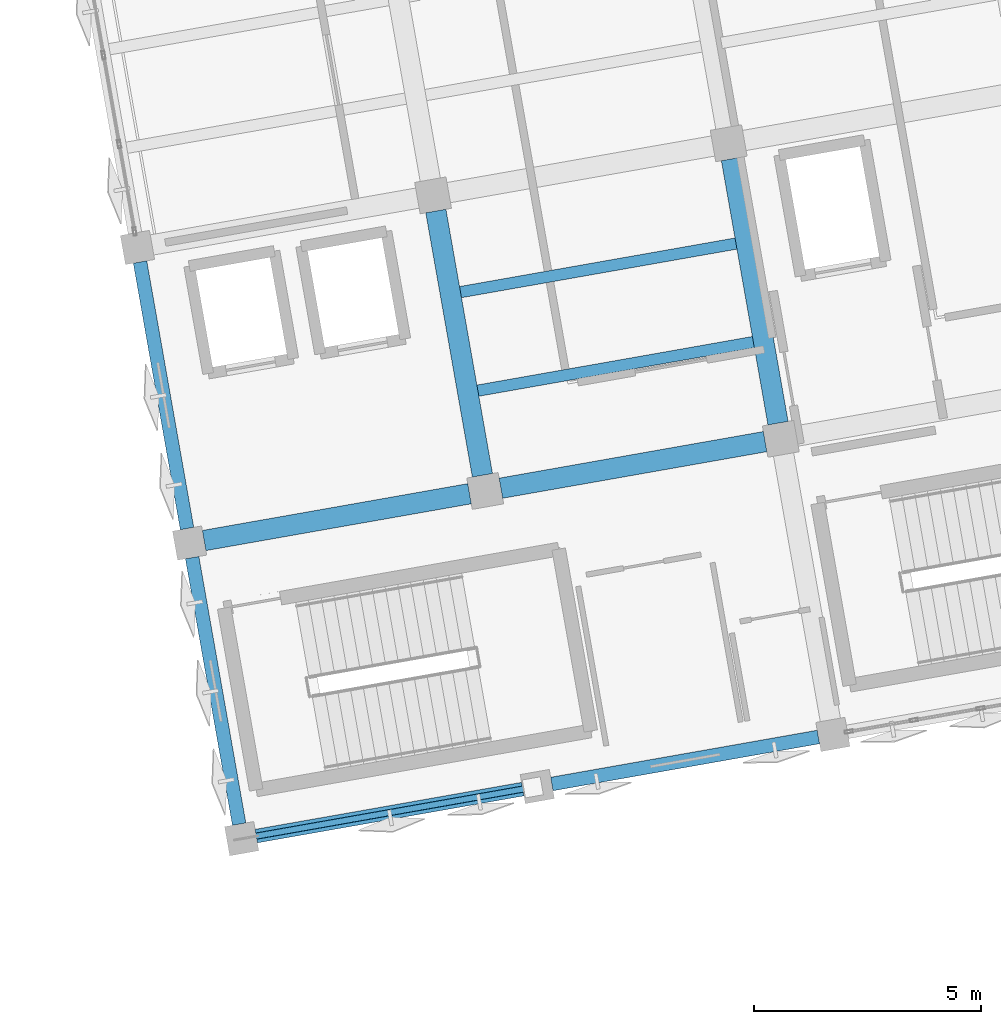
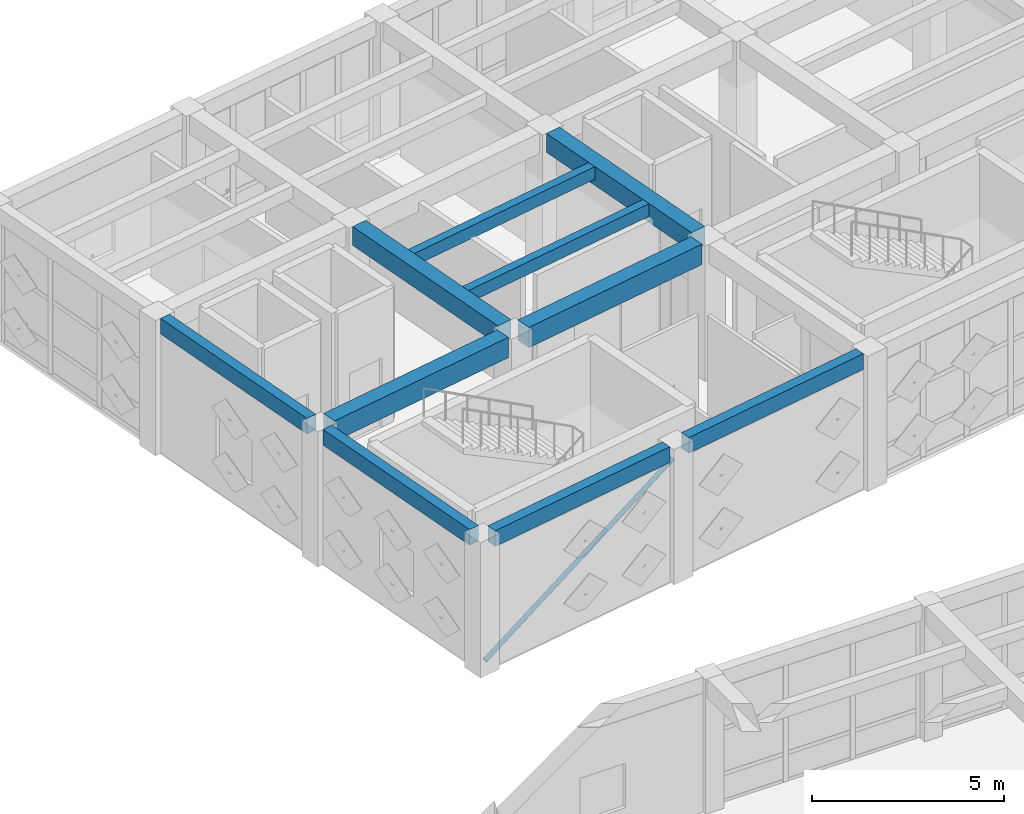
# One storey, part 11 of 48: 10 beams, 1 member.
"""IFC4 building model written with IfcOpenShell, lengths in metres."""

import ifcopenshell
import ifcopenshell.guid

model = None  # the IFC model being written
_history = None  # IfcOwnerHistory: only IFC2X3 demands one
_inside = {}  # id of a spatial element -> (the spatial element, [elements in it])
_under = {}  # id of a project, library or spatial element -> (it, [spatial elements below it])
_declared = {}  # id of a project -> (the project, [libraries it declares])
_typed = {}  # id of a type object -> (the type object, [elements of that type])
_made_of = {}  # id of a material, layer set ... -> (it, [elements and type objects made of it])


def new_model(schema):
    """Start an empty IFC model of exactly this schema.

    Asked for "IFC4X3", IfcOpenShell would pick the latest addendum, in which some entities
    have other attributes; the version numbers below select the first issue.
    IFC2X3 requires an IfcOwnerHistory on every rooted entity: one is made here for all.
    """
    global model, _history
    if schema == "IFC4X3":
        model = ifcopenshell.file(schema_version=(4, 3, 0, 0))
    else:
        model = ifcopenshell.file(schema=schema)
    _inside.clear()
    _under.clear()
    _declared.clear()
    _typed.clear()
    _made_of.clear()
    _history = None
    if model.schema == "IFC2X3":
        org = make("IfcOrganization", Name="unknown")
        user = make(
            "IfcPersonAndOrganization",
            ThePerson=make("IfcPerson", FamilyName="unknown"),
            TheOrganization=org,
        )
        app = make(
            "IfcApplication",
            ApplicationDeveloper=org,
            Version="unknown",
            ApplicationFullName="unknown",
            ApplicationIdentifier="unknown",
        )
        _history = make(
            "IfcOwnerHistory",
            OwningUser=user,
            OwningApplication=app,
            ChangeAction="ADDED",
            CreationDate=0,
        )
    return model


def make(cls, **values):
    """One entity of the class cls with the attributes given. An attribute that is None is left unset."""
    return model.create_entity(
        cls, **{name: value for name, value in values.items() if value is not None}
    )


def rooted(cls, **values):
    """An entity with a GlobalId (a new one), such as an element, a storey or a relation."""
    return make(cls, GlobalId=ifcopenshell.guid.new(), OwnerHistory=_history, **values)


def si_unit(unit_type, name, prefix=None):
    """IfcSIUnit, for example si_unit("LENGTHUNIT", "METRE", prefix="MILLI")."""
    return make("IfcSIUnit", UnitType=unit_type, Prefix=prefix, Name=name)


def assignment(units):
    """IfcUnitAssignment: the units of a project."""
    return None if units is None else make("IfcUnitAssignment", Units=units)


def point(xyz):
    """IfcCartesianPoint."""
    return None if xyz is None else make("IfcCartesianPoint", Coordinates=xyz)


def direction(xyz):
    """IfcDirection."""
    return None if xyz is None else make("IfcDirection", DirectionRatios=xyz)


def frame(location, z_axis=None, x_axis=None):
    """IfcAxis2Placement3D, a coordinate frame: its origin and axes. An axis left out is left unset."""
    return make(
        "IfcAxis2Placement3D",
        Location=point(location),
        Axis=direction(z_axis),
        RefDirection=direction(x_axis),
    )


def frame_2d(location, x_axis=None):
    """IfcAxis2Placement2D, a coordinate frame in the plane: its origin and x axis."""
    return make(
        "IfcAxis2Placement2D", Location=point(location), RefDirection=direction(x_axis)
    )


def origin():
    """The frame at (0, 0, 0) with its axes left unset."""
    return frame((0.0, 0.0, 0.0))


def origin_2d():
    """The frame at (0, 0) in the plane with its x axis left unset."""
    return frame_2d((0.0, 0.0))


def place(relative_to, where):
    """IfcLocalPlacement: puts the frame where relative to a parent placement (None: the world)."""
    return make(
        "IfcLocalPlacement", PlacementRelTo=relative_to, RelativePlacement=where
    )


def context(
    kind, dimensions, precision=None, world=None, true_north=None, identifier=None
):
    """IfcGeometricRepresentationContext, for example the 3D "Model" context."""
    return make(
        "IfcGeometricRepresentationContext",
        ContextIdentifier=identifier,
        ContextType=kind,
        CoordinateSpaceDimension=dimensions,
        Precision=precision,
        WorldCoordinateSystem=world,
        TrueNorth=true_north,
    )


def subcontext(parent, identifier, kind, view, scale=None):
    """IfcGeometricRepresentationSubContext, for example "Body" below "Model"."""
    return make(
        "IfcGeometricRepresentationSubContext",
        ContextIdentifier=identifier,
        ContextType=kind,
        ParentContext=parent,
        TargetScale=scale,
        TargetView=view,
    )


def project(units=None, contexts=None):
    """IfcProject with its units and contexts."""
    return rooted(
        "IfcProject",
        Name="project",
        RepresentationContexts=contexts,
        UnitsInContext=assignment(units),
    )


def spatial(cls, under=None, at=None, **own):
    """A site, building, storey or space (cls), placed at a placement, below another one or the project."""
    s = rooted(cls, ObjectPlacement=at, **own)
    if under is not None:
        _under.setdefault(under.id(), (under, []))[1].append(s)
    return s


def profile(cls, at=None, kind="AREA", **sizes):
    """A parametric profile (cls). Its sizes go by their IFC names, for example OverallWidth=200.0."""
    return make(cls, ProfileType=kind, Position=at, **sizes)


def rectangle(**sizes):
    """IfcRectangleProfileDef."""
    return profile("IfcRectangleProfileDef", **sizes)


def hollow_circle(**sizes):
    """IfcCircleHollowProfileDef."""
    return profile("IfcCircleHollowProfileDef", **sizes)


def extrude(swept, where, along, depth):
    """IfcExtrudedAreaSolid: the profile swept, set in the frame where, extruded along a direction by depth."""
    return make(
        "IfcExtrudedAreaSolid",
        SweptArea=swept,
        Position=where,
        ExtrudedDirection=direction(along),
        Depth=depth,
    )


def shape(context_of_items, identifier, shape_type, items):
    """IfcShapeRepresentation: the items that make up one representation, for example the "Body"."""
    return make(
        "IfcShapeRepresentation",
        ContextOfItems=context_of_items,
        RepresentationIdentifier=identifier,
        RepresentationType=shape_type,
        Items=items,
    )


def material(Name=None, Category=None):
    """IfcMaterial."""
    return make("IfcMaterial", Name=Name, Category=Category)


def material_profile(
    of_material, cross_section, Name=None, Category=None, Priority=None
):
    """IfcMaterialProfile: a cross section and its material."""
    return make(
        "IfcMaterialProfile",
        Name=Name,
        Material=of_material,
        Profile=cross_section,
        Priority=Priority,
        Category=Category,
    )


def profile_set(profiles, Name=None, composite=None):
    """IfcMaterialProfileSet."""
    return make(
        "IfcMaterialProfileSet",
        Name=Name,
        MaterialProfiles=profiles,
        CompositeProfile=composite,
    )


def made_of(thing, what):
    """Note that an element or type object is made of a material, layer set ...; save() writes the relation."""
    if what is not None:
        _made_of.setdefault(what.id(), (what, []))[1].append(thing)
    return thing


def type_object(cls, material=None, **own):
    """A type object (cls), such as IfcWallType, which elements share."""
    return made_of(rooted(cls, **own), material)


def element(
    cls,
    number,
    at=None,
    inside=None,
    cuts=None,
    type_object=None,
    material=None,
    context=None,
    identifier="Body",
    shape_type=None,
    held_by="IfcProductDefinitionShape",
    body=None,
    shapes=None,
    **own,
):
    """One element of the class cls, such as IfcWall. Its Tag is "e" and its number.

    at: its placement. inside: the storey or other place that contains it. cuts: it is an
    opening in that element (IfcRelVoidsElement). A single representation is given by context,
    identifier, shape_type and body (its items); several are given by shapes. held_by: the class
    of the entity that holds the representations. save() writes the other relations.
    """
    e = rooted(cls, Tag="e%d" % number, ObjectPlacement=at, **own)
    if body is not None:
        shapes = [shape(context, identifier, shape_type, body)]
    if shapes is not None:
        e.Representation = make(held_by, Representations=shapes)
    if inside is not None:
        _inside.setdefault(inside.id(), (inside, []))[1].append(e)
    if cuts is not None:
        rooted(
            "IfcRelVoidsElement", RelatingBuildingElement=cuts, RelatedOpeningElement=e
        )
    if type_object is not None:
        _typed.setdefault(type_object.id(), (type_object, []))[1].append(e)
    return made_of(e, material)


def aggregate(whole, parts):
    """IfcRelAggregates: a whole, such as a stair, and the parts it consists of."""
    return rooted("IfcRelAggregates", RelatingObject=whole, RelatedObjects=parts)


def save(model, path):
    """Write the relations noted so far, then the file.

    IfcRelAggregates (storeys below a building ...), IfcRelContainedInSpatialStructure (elements
    in a storey), IfcRelDefinesByType, IfcRelAssociatesMaterial and IfcRelDeclares: one each for
    every whole, place, type object, material and project.
    """
    for whole, parts in _under.values():
        aggregate(whole, parts)
    for where, things in _inside.values():
        rooted(
            "IfcRelContainedInSpatialStructure",
            RelatedElements=things,
            RelatingStructure=where,
        )
    for kind, things in _typed.values():
        rooted("IfcRelDefinesByType", RelatedObjects=things, RelatingType=kind)
    for what, things in _made_of.values():
        rooted("IfcRelAssociatesMaterial", RelatedObjects=things, RelatingMaterial=what)
    for by, libraries in _declared.values():
        rooted("IfcRelDeclares", RelatingContext=by, RelatedDefinitions=libraries)
    model.write(path)


model = new_model("IFC4")

# Units and contexts
model_context = context("Model", 3, precision=1e-05, world=origin(), true_north=direction((0.0, 1.0)))
body_context = subcontext(model_context, "Body", "Model", "MODEL_VIEW")
ifc_project = project(units=[si_unit("LENGTHUNIT", "METRE"), si_unit("AREAUNIT", "SQUARE_METRE"), si_unit("VOLUMEUNIT", "CUBIC_METRE"), si_unit("PLANEANGLEUNIT", "RADIAN"), si_unit("MASSUNIT", "GRAM", prefix="KILO")], contexts=[model_context])

# Site, building, storey
site_placement = place(None, origin())
site = spatial("IfcSite", under=ifc_project, at=site_placement, CompositionType="ELEMENT")
building_placement = place(site_placement, origin())
building = spatial("IfcBuilding", under=site, at=building_placement, Name="Kharisveld Research Institute", CompositionType="ELEMENT")
storey_placement = place(building_placement, frame((0.0, 0.0, 14.10009765625)))
storey = spatial("IfcBuildingStorey", under=building, at=storey_placement, Name="L03", CompositionType="ELEMENT", Elevation=14.10009765625)

# Beams
ifc_material_1 = material(Name="Concrete C40/50", Category="concrete")
ifc_material_profile_1 = material_profile(ifc_material_1, rectangle(XDim=0.449951171875, YDim=0.60009765625, at=origin_2d()))
ifc_profile_set_1 = profile_set([ifc_material_profile_1], Name="Concrete C40/50")
beam_type_1 = type_object("IfcBeamType", Name="BM_RC_450x600", PredefinedType="BEAM", material=ifc_profile_set_1)
beam_1_placement = place(storey_placement, frame((10.492919921875, 43.00048828125, 4.010009765625), z_axis=(-0.173672023659, 0.984803548023, 0.0), x_axis=(-0.984803548023, -0.173672023659, 0.0)))
element("IfcBeam", 1, at=beam_1_placement, inside=storey, type_object=beam_type_1, Name="BM:V1:L03:V1_1", PredefinedType="BEAM", context=body_context, shape_type="SweptSolid", body=[
    extrude(rectangle(XDim=0.449951171875, YDim=0.60009765625, at=origin_2d()), origin(), (0.0, 0.0, 1.0), 5.89990234375),
])
beam_2_placement = place(storey_placement, frame((16.99267578125, 44.146484375, 4.010009765625), z_axis=(-0.173664946598, 0.98480479605, 0.0), x_axis=(-0.98480479605, -0.173664946598, 0.0)))
element("IfcBeam", 2, at=beam_2_placement, inside=storey, type_object=beam_type_1, Name="BM:V1:L03:V2_1", PredefinedType="BEAM", context=body_context, shape_type="SweptSolid", body=[
    extrude(rectangle(XDim=0.449951171875, YDim=0.60009765625, at=origin_2d()), origin(), (0.0, 0.0, 1.0), 5.900146484375),
])
ifc_material_2 = material(Name="Concrete C40/50", Category="concrete")
ifc_material_profile_2 = material_profile(ifc_material_2, rectangle(XDim=0.449951171875, YDim=0.64990234375, at=origin_2d()))
ifc_profile_set_2 = profile_set([ifc_material_profile_2], Name="Concrete C40/50")
beam_type_2 = type_object("IfcBeamType", Name="BM_RC_450x650", PredefinedType="BEAM", material=ifc_profile_set_2)
beam_3_placement = place(storey_placement, frame((4.3740234375, 41.566162109375, 3.98486328125), z_axis=(0.984809266846, 0.173639592071, 0.0), x_axis=(-0.173639592071, 0.984809266846, 0.0)))
element("IfcBeam", 3, at=beam_3_placement, inside=storey, type_object=beam_type_2, Name="BM:V1:L03:U0_1", PredefinedType="BEAM", context=body_context, shape_type="SweptSolid", body=[
    extrude(rectangle(XDim=0.449951171875, YDim=0.64990234375, at=origin_2d()), origin(), (0.0, 0.0, 1.0), 5.925048828125),
])
beam_4_placement = place(storey_placement, frame((10.8984375, 42.716552734375, 3.98486328125), z_axis=(0.984803548023, 0.173672023659, 0.0), x_axis=(-0.173672023659, 0.984803548023, 0.0)))
element("IfcBeam", 4, at=beam_4_placement, inside=storey, type_object=beam_type_2, Name="BM:V1:L03:U1_1", PredefinedType="BEAM", context=body_context, shape_type="SweptSolid", body=[
    extrude(rectangle(XDim=0.449951171875, YDim=0.64990234375, at=origin_2d()), origin(), (0.0, 0.0, 1.0), 5.89990234375),
])

# Member
ifc_material_3 = material(Name="Steel S355J2H", Category="steel")
ifc_material_profile_3 = material_profile(ifc_material_3, hollow_circle(Radius=0.06982421875, WallThickness=0.00634765625, at=origin_2d()))
ifc_profile_set_3 = profile_set([ifc_material_profile_3], Name="Steel S355J2H")
member_type = type_object("IfcMemberType", Name="BR_CHS140", PredefinedType="BRACE", material=ifc_profile_set_3)
member_placement = place(storey_placement, frame((5.298583984375, 35.02734375, 0.199951171875), z_axis=(0.860618785546, 0.151748400674, 0.486114933794), x_axis=(-0.173646056486, 0.984808127031, 0.0)))
element("IfcMember", 5, at=member_placement, inside=storey, type_object=member_type, Name="MEM:V1:L03:BR_0_0", PredefinedType="BRACE", context=body_context, shape_type="SweptSolid", body=[
    extrude(hollow_circle(Radius=0.06982421875, WallThickness=0.00634765625, at=origin_2d()), origin(), (0.0, 0.0, 1.0), 7.323486328125),
])

# Beams
ifc_material_4 = material(Name="Concrete C40/50", Category="concrete")
ifc_material_profile_4 = material_profile(ifc_material_4, rectangle(XDim=0.300048828125, YDim=0.5, at=origin_2d()))
ifc_profile_set_4 = profile_set([ifc_material_profile_4], Name="Concrete C40/50")
beam_type_3 = type_object("IfcBeamType", Name="SP_RC_300x500", PredefinedType="SPANDREL", material=ifc_profile_set_4)
for number, where, z_axis, x_axis, name in (
    (6, (5.52001953125, 35.06640625, 4.059814453125), (0.984807920462, 0.173647228007, 0.0), (-0.173647228007, 0.984807920462, 0.0), "BM:V1:L03:U0_0"),
    (7, (12.019775390625, 36.21240234375, 4.059814453125), (0.984807920462, 0.173647228007, 0.0), (-0.173647228007, 0.984807920462, 0.0), "BM:V1:L03:U1_0"),
    (8, (5.1435546875, 35.330078125, 4.059814453125), (-0.173647228007, 0.984807920462, 0.0), (-0.984807920462, -0.173647228007, 0.0), "BM:V1:L03:V0_0"),
    (9, (3.99755859375, 41.829833984375, 4.059814453125), (-0.173647228007, 0.984807920462, 0.0), (-0.984807920462, -0.173647228007, 0.0), "BM:V1:L03:V0_1"),
):
    element("IfcBeam", number, at=place(storey_placement, frame(where, z_axis=z_axis, x_axis=x_axis)), inside=storey, type_object=beam_type_3, Name=name, PredefinedType="SPANDREL", context=body_context, shape_type="SweptSolid", body=[
        extrude(rectangle(XDim=0.300048828125, YDim=0.5, at=origin_2d()), origin(), (0.0, 0.0, 1.0), 5.949951171875),
    ])
ifc_material_5 = material(Name="Concrete C40/50", Category="concrete")
ifc_material_profile_5 = material_profile(ifc_material_5, rectangle(XDim=0.25, YDim=0.39990234375, at=origin_2d()))
ifc_profile_set_5 = profile_set([ifc_material_profile_5], Name="Concrete C40/50")
beam_type_4 = type_object("IfcBeamType", Name="WB_RC_250x400", PredefinedType="JOIST", material=ifc_profile_set_5)
beam_5_placement = place(storey_placement, frame((10.393310546875, 44.861572265625, 4.10986328125), z_axis=(0.984808726596, 0.17364265611, 0.0), x_axis=(-0.17364265611, 0.984808726596, 0.0)))
element("IfcBeam", 10, at=beam_5_placement, inside=storey, type_object=beam_type_4, Name="BM:V1:L03:J_1_1_R1", PredefinedType="JOIST", context=body_context, shape_type="SweptSolid", body=[
    extrude(rectangle(XDim=0.25, YDim=0.39990234375, at=origin_2d()), origin(), (0.0, 0.0, 1.0), 6.14990234375),
])
beam_6_placement = place(storey_placement, frame((10.01123046875, 47.028076171875, 4.10986328125), z_axis=(0.984809923515, 0.173635867682, 0.0), x_axis=(-0.173635867682, 0.984809923515, 0.0)))
element("IfcBeam", 11, at=beam_6_placement, inside=storey, type_object=beam_type_4, Name="BM:V1:L03:J_1_1_R2", PredefinedType="JOIST", context=body_context, shape_type="SweptSolid", body=[
    extrude(rectangle(XDim=0.25, YDim=0.39990234375, at=origin_2d()), origin(), (0.0, 0.0, 1.0), 6.150146484375),
])

save(model, "model.ifc")
